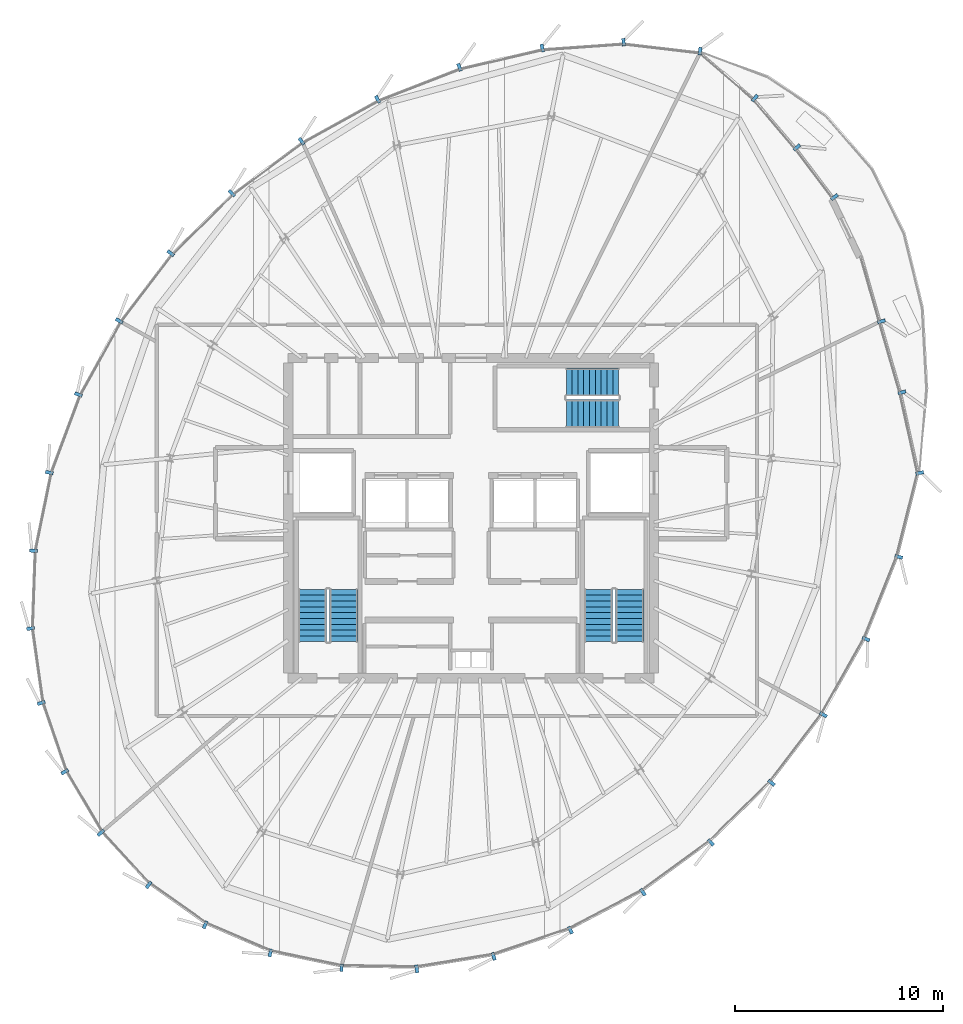
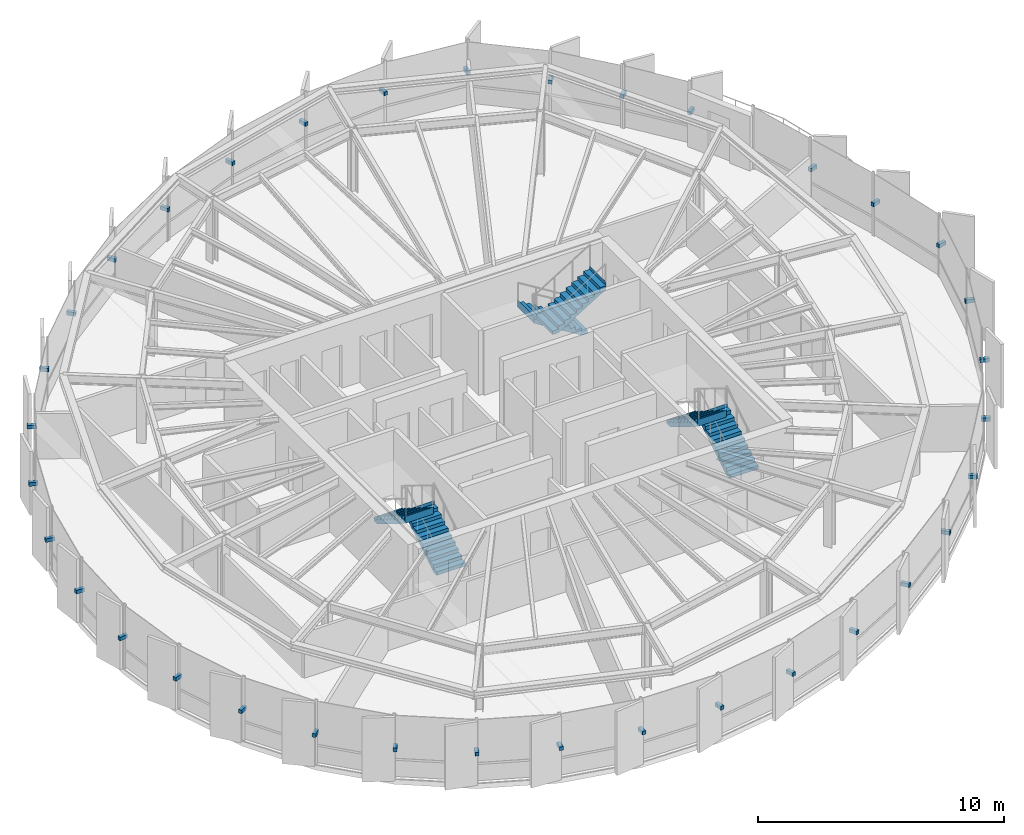
# One storey, part 29 of 34: 35 discrete accessories, 6 stair flights, 3 elements without a shape of their own.
"""IFC4 building model written with IfcOpenShell, lengths in metres."""

from ifc_helpers import new_model, si_unit, direction, frame, origin, origin_2d, place, context, subcontext, project, spatial, polyline, rectangle, outline, extrude, source, transform, mapped, material, type_object, element, aggregate, save


model = new_model("IFC4")

# Units and contexts
model_context = context("Model", 3, precision=1e-05, world=origin(), true_north=direction((0.0, 1.0)))
body_context = subcontext(model_context, "Body", "Model", "MODEL_VIEW")
ifc_project = project(units=[si_unit("LENGTHUNIT", "METRE"), si_unit("AREAUNIT", "SQUARE_METRE"), si_unit("VOLUMEUNIT", "CUBIC_METRE"), si_unit("PLANEANGLEUNIT", "RADIAN"), si_unit("MASSUNIT", "GRAM", prefix="KILO"), si_unit("THERMODYNAMICTEMPERATUREUNIT", "KELVIN")], contexts=[model_context])

# Site, building, storey
site_placement = place(None, origin())
site = spatial("IfcSite", under=ifc_project, at=site_placement, CompositionType="ELEMENT")
building_placement = place(site_placement, origin())
building = spatial("IfcBuilding", under=site, at=building_placement, Name="Kethvar Cultural Tower", CompositionType="ELEMENT")
storey_placement = place(building_placement, frame((0.0, 0.0, 231.85009765625)))
storey = spatial("IfcBuildingStorey", under=building, at=storey_placement, Name="L60", CompositionType="ELEMENT", Elevation=231.85009765625)

# Stair, stair flights
ifc_material_1 = material(Name="Concrete C40/50", Category="concrete")
stair_type = type_object("IfcStairType", Name="ST-DOGLEG-135", PredefinedType="HALF_TURN_STAIR", material=ifc_material_1)
stair_1_placement = place(storey_placement, origin())
stair_1 = element("IfcStair", 1, at=stair_1_placement, inside=storey, type_object=stair_type, Name="L60 Core Exit Stair 1", PredefinedType="HALF_TURN_STAIR")
stair_flight_type = type_object("IfcStairFlightType", Name="FL-STRAIGHT-135", PredefinedType="STRAIGHT", material=ifc_material_1)
stair_flight_1_placement = place(storey_placement, frame((40.675048828125, 21.85009765625, 0.0), z_axis=(0.0, 0.0, 1.0), x_axis=(0.0, 1.0, 0.0)))
stair_flight_1 = element("IfcStairFlight", 2, at=stair_flight_1_placement, type_object=stair_flight_type, Name="ST-01 flight 1", NumberOfRisers=10, NumberOfTreads=9, PredefinedType="STRAIGHT", RiserHeight=0.1725, TreadLength=0.28, context=body_context, shape_type="SweptSolid", body=[
    extrude(outline(polyline([(-0.0009765625, -0.0009765625), (-0.0009765625, 0.172607421875), (0.280029296875, 0.172607421875), (0.280029296875, 0.344970703125), (0.56005859375, 0.344970703125), (0.56005859375, 0.517578125), (0.840087890625, 0.517578125), (0.840087890625, 0.68994140625), (1.1201171875, 0.68994140625), (1.1201171875, 0.862548828125), (1.39990234375, 0.862548828125), (1.39990234375, 1.034912109375), (1.679931640625, 1.034912109375), (1.679931640625, 1.20751953125), (1.9599609375, 1.20751953125), (1.9599609375, 1.3798828125), (2.239990234375, 1.3798828125), (2.239990234375, 1.552490234375), (2.52001953125, 1.552490234375), (2.52001953125, 1.72509765625), (2.52099609375, 1.72509765625), (2.52099609375, 1.37646484375), (0.285888671875, 0.0), (0.0, -0.0009765625), (-0.0009765625, -0.0009765625)])), frame((0.0, 0.675048828125, 0.0), z_axis=(0.0, -1.0, 0.0), x_axis=(1.0, 0.0, 0.0)), (0.0, 0.0, 1.0), 1.35009765625),
])
stair_flight_2_placement = place(storey_placement, frame((39.1650390625, 24.3701171875, 1.724853515625), z_axis=(0.0, 0.0, 1.0), x_axis=(0.0, -1.0, 0.0)))
stair_flight_2 = element("IfcStairFlight", 3, at=stair_flight_2_placement, type_object=stair_flight_type, Name="ST-01 flight 2", NumberOfRisers=10, NumberOfTreads=9, PredefinedType="STRAIGHT", RiserHeight=0.1725, TreadLength=0.28, context=body_context, shape_type="SweptSolid", body=[
    extrude(outline(polyline([(-0.0009765625, -0.0009765625), (-0.0009765625, 0.172607421875), (0.280029296875, 0.172607421875), (0.280029296875, 0.344970703125), (0.56005859375, 0.344970703125), (0.56005859375, 0.517578125), (0.840087890625, 0.517578125), (0.840087890625, 0.68994140625), (1.1201171875, 0.68994140625), (1.1201171875, 0.862548828125), (1.39990234375, 0.862548828125), (1.39990234375, 1.034912109375), (1.679931640625, 1.034912109375), (1.679931640625, 1.20751953125), (1.9599609375, 1.20751953125), (1.9599609375, 1.3798828125), (2.239990234375, 1.3798828125), (2.239990234375, 1.552490234375), (2.52001953125, 1.552490234375), (2.52001953125, 1.72509765625), (2.52099609375, 1.72509765625), (2.52099609375, 1.37646484375), (0.285888671875, 0.0), (0.0, -0.0009765625), (-0.0009765625, -0.0009765625)])), frame((0.0, 0.675048828125, 0.0), z_axis=(0.0, -1.0, 0.0), x_axis=(1.0, 0.0, 0.0)), (0.0, 0.0, 1.0), 1.35009765625),
])
aggregate(stair_1, [stair_flight_1, stair_flight_2])

stair_2_placement = place(storey_placement, origin())
stair_2 = element("IfcStair", 4, at=stair_2_placement, inside=storey, type_object=stair_type, Name="L60 Core Exit Stair 2", PredefinedType="HALF_TURN_STAIR")
stair_flight_3_placement = place(storey_placement, frame((54.43505859375, 21.85009765625, 0.0), z_axis=(0.0, 0.0, 1.0), x_axis=(0.0, 1.0, 0.0)))
stair_flight_3 = element("IfcStairFlight", 5, at=stair_flight_3_placement, type_object=stair_flight_type, Name="ST-02 flight 1", NumberOfRisers=10, NumberOfTreads=9, PredefinedType="STRAIGHT", RiserHeight=0.1725, TreadLength=0.28, context=body_context, shape_type="SweptSolid", body=[
    extrude(outline(polyline([(-0.0009765625, -0.0009765625), (-0.0009765625, 0.172607421875), (0.280029296875, 0.172607421875), (0.280029296875, 0.344970703125), (0.56005859375, 0.344970703125), (0.56005859375, 0.517578125), (0.840087890625, 0.517578125), (0.840087890625, 0.68994140625), (1.1201171875, 0.68994140625), (1.1201171875, 0.862548828125), (1.39990234375, 0.862548828125), (1.39990234375, 1.034912109375), (1.679931640625, 1.034912109375), (1.679931640625, 1.20751953125), (1.9599609375, 1.20751953125), (1.9599609375, 1.3798828125), (2.239990234375, 1.3798828125), (2.239990234375, 1.552490234375), (2.52001953125, 1.552490234375), (2.52001953125, 1.72509765625), (2.52099609375, 1.72509765625), (2.52099609375, 1.37646484375), (0.285888671875, 0.0), (0.0, -0.0009765625), (-0.0009765625, -0.0009765625)])), frame((0.0, 0.675048828125, 0.0), z_axis=(0.0, -1.0, 0.0), x_axis=(1.0, 0.0, 0.0)), (0.0, 0.0, 1.0), 1.35009765625),
])
stair_flight_4_placement = place(storey_placement, frame((52.925048828125, 24.3701171875, 1.724853515625), z_axis=(0.0, 0.0, 1.0), x_axis=(0.0, -1.0, 0.0)))
stair_flight_4 = element("IfcStairFlight", 6, at=stair_flight_4_placement, type_object=stair_flight_type, Name="ST-02 flight 2", NumberOfRisers=10, NumberOfTreads=9, PredefinedType="STRAIGHT", RiserHeight=0.1725, TreadLength=0.28, context=body_context, shape_type="SweptSolid", body=[
    extrude(outline(polyline([(-0.0009765625, -0.0009765625), (-0.0009765625, 0.172607421875), (0.280029296875, 0.172607421875), (0.280029296875, 0.344970703125), (0.56005859375, 0.344970703125), (0.56005859375, 0.517578125), (0.840087890625, 0.517578125), (0.840087890625, 0.68994140625), (1.1201171875, 0.68994140625), (1.1201171875, 0.862548828125), (1.39990234375, 0.862548828125), (1.39990234375, 1.034912109375), (1.679931640625, 1.034912109375), (1.679931640625, 1.20751953125), (1.9599609375, 1.20751953125), (1.9599609375, 1.3798828125), (2.239990234375, 1.3798828125), (2.239990234375, 1.552490234375), (2.52001953125, 1.552490234375), (2.52001953125, 1.72509765625), (2.52099609375, 1.72509765625), (2.52099609375, 1.37646484375), (0.285888671875, 0.0), (0.0, -0.0009765625), (-0.0009765625, -0.0009765625)])), frame((0.0, 0.675048828125, 0.0), z_axis=(0.0, -1.0, 0.0), x_axis=(1.0, 0.0, 0.0)), (0.0, 0.0, 1.0), 1.35009765625),
])
aggregate(stair_2, [stair_flight_3, stair_flight_4])

stair_3_placement = place(storey_placement, origin())
stair_3 = element("IfcStair", 7, at=stair_3_placement, inside=storey, type_object=stair_type, Name="L60 Core Exit Stair 3", PredefinedType="HALF_TURN_STAIR")
stair_flight_5_placement = place(storey_placement, frame((53.89990234375, 34.3349609375, 0.0), z_axis=(0.0, 0.0, 1.0), x_axis=(-1.0, 0.0, 0.0)))
stair_flight_5 = element("IfcStairFlight", 8, at=stair_flight_5_placement, type_object=stair_flight_type, Name="ST-03 flight 1", NumberOfRisers=10, NumberOfTreads=9, PredefinedType="STRAIGHT", RiserHeight=0.1725, TreadLength=0.28, context=body_context, shape_type="SweptSolid", body=[
    extrude(outline(polyline([(-0.0009765625, -0.0009765625), (-0.0009765625, 0.172607421875), (0.280029296875, 0.172607421875), (0.280029296875, 0.344970703125), (0.56005859375, 0.344970703125), (0.56005859375, 0.517578125), (0.840087890625, 0.517578125), (0.840087890625, 0.68994140625), (1.1201171875, 0.68994140625), (1.1201171875, 0.862548828125), (1.39990234375, 0.862548828125), (1.39990234375, 1.034912109375), (1.679931640625, 1.034912109375), (1.679931640625, 1.20751953125), (1.9599609375, 1.20751953125), (1.9599609375, 1.3798828125), (2.239990234375, 1.3798828125), (2.239990234375, 1.552490234375), (2.52001953125, 1.552490234375), (2.52001953125, 1.72509765625), (2.52099609375, 1.72509765625), (2.52099609375, 1.37646484375), (0.285888671875, 0.0), (0.0, -0.0009765625), (-0.0009765625, -0.0009765625)])), frame((0.0, 0.675048828125, 0.0), z_axis=(0.0, -1.0, 0.0), x_axis=(1.0, 0.0, 0.0)), (0.0, 0.0, 1.0), 1.35009765625),
])
stair_flight_6_placement = place(storey_placement, frame((51.3798828125, 32.824951171875, 1.724853515625), z_axis=(0.0, 0.0, 1.0), x_axis=(1.0, 0.0, 0.0)))
stair_flight_6 = element("IfcStairFlight", 9, at=stair_flight_6_placement, type_object=stair_flight_type, Name="ST-03 flight 2", NumberOfRisers=10, NumberOfTreads=9, PredefinedType="STRAIGHT", RiserHeight=0.1725, TreadLength=0.28, context=body_context, shape_type="SweptSolid", body=[
    extrude(outline(polyline([(-0.0009765625, -0.0009765625), (-0.0009765625, 0.172607421875), (0.280029296875, 0.172607421875), (0.280029296875, 0.344970703125), (0.56005859375, 0.344970703125), (0.56005859375, 0.517578125), (0.840087890625, 0.517578125), (0.840087890625, 0.68994140625), (1.1201171875, 0.68994140625), (1.1201171875, 0.862548828125), (1.39990234375, 0.862548828125), (1.39990234375, 1.034912109375), (1.679931640625, 1.034912109375), (1.679931640625, 1.20751953125), (1.9599609375, 1.20751953125), (1.9599609375, 1.3798828125), (2.239990234375, 1.3798828125), (2.239990234375, 1.552490234375), (2.52001953125, 1.552490234375), (2.52001953125, 1.72509765625), (2.52099609375, 1.72509765625), (2.52099609375, 1.37646484375), (0.285888671875, 0.0), (0.0, -0.0009765625), (-0.0009765625, -0.0009765625)])), frame((0.0, 0.675048828125, 0.0), z_axis=(0.0, -1.0, 0.0), x_axis=(1.0, 0.0, 0.0)), (0.0, 0.0, 1.0), 1.35009765625),
])
aggregate(stair_3, [stair_flight_5, stair_flight_6])

# Discrete accessories
ifc_material_2 = material(Name="Steel S355J2", Category="steel")
discrete_accessory_type = type_object("IfcDiscreteAccessoryType", Name="Steel Fin Bracket BRK-01", PredefinedType="BRACKET", material=ifc_material_2)
shared_shape = source(origin(), body_context, "Body", "SweptSolid", [
    extrude(rectangle(XDim=0.3798828125, YDim=0.159912109375, at=origin_2d()), origin(), (0.0, 0.0, 1.0), 0.179931640625),
])
for number, where, z_axis, x_axis, name in (
    (10, (62.4736328125, 45.62939453125, 1.51513671875), (0.0, 0.0, 1.0), (0.760065811178, 0.64984610692, 0.0), "L60 Terracotta Fin Bracket 1.1"),
    (11, (60.448486328125, 47.997802734375, 1.51513671875), (0.0, 0.0, 1.0), (0.65209840383, 0.758134336198, 0.0), "L60 Terracotta Fin Bracket 1.2"),
    (12, (57.815185546875, 50.260498046875, 1.51513671875), (0.0, 0.0, 1.0), (0.115977344809, 0.993251859042, 0.0), "L60 Terracotta Fin Bracket 1.3"),
    (13, (54.13671875, 50.689697265625, 1.51513671875), (0.0, 0.0, 1.0), (-0.070278787473, 0.997527389113, 0.0), "L60 Terracotta Fin Bracket 1.4"),
    (14, (50.2275390625, 50.414306640625, 1.51513671875), (0.0, 0.0, 1.0), (-0.2275011754, 0.973777805863, 0.0), "L60 Terracotta Fin Bracket 1.5"),
    (15, (46.242431640625, 49.4833984375, 1.51513671875), (0.0, 0.0, 1.0), (-0.362763348316, 0.931881297762, 0.0), "L60 Terracotta Fin Bracket 1.6"),
    (16, (42.302978515625, 47.945068359375, 1.51513671875), (0.0, 0.0, 1.0), (-0.483893454972, 0.87512691893, 0.0), "L60 Terracotta Fin Bracket 2.1"),
    (17, (38.6435546875, 45.92138671875, 1.51513671875), (0.0, 0.0, 1.0), (-0.596364983966, 0.802713402093, 0.0), "L60 Terracotta Fin Bracket 2.2"),
    (18, (35.287109375, 43.427978515625, 1.51513671875), (0.0, 0.0, 1.0), (-0.701282625266, 0.712883356168, 0.0), "L60 Terracotta Fin Bracket 2.3"),
    (19, (32.349853515625, 40.53857421875, 1.51513671875), (0.0, 0.0, 1.0), (-0.795473480855, 0.605988400266, 0.0), "L60 Terracotta Fin Bracket 2.4"),
    (20, (29.871337890625, 37.28466796875, 1.51513671875), (0.0, 0.0, 1.0), (-0.874535078577, 0.484962262797, 0.0), "L60 Terracotta Fin Bracket 2.5"),
    (21, (27.9072265625, 33.74267578125, 1.51513671875), (0.0, 0.0, 1.0), (-0.936794377618, 0.349880399656, 0.0), "L60 Terracotta Fin Bracket 2.6"),
    (22, (26.509765625, 29.985107421875, 1.51513671875), (0.0, 0.0, 1.0), (-0.979785280755, 0.200052002278, 0.0), "L60 Terracotta Fin Bracket 3.1"),
    (23, (25.742919921875, 26.229736328125, 1.51513671875), (0.0, 0.0, 1.0), (-0.999353732381, 0.035946037002, 0.0), "L60 Terracotta Fin Bracket 3.2"),
    (24, (25.60888671875, 22.4873046875, 1.51513671875), (0.0, 0.0, 1.0), (-0.990023657717, -0.140901231938, 0.0), "L60 Terracotta Fin Bracket 3.3"),
    (25, (26.11865234375, 18.906005859375, 1.51513671875), (0.0, 0.0, 1.0), (-0.945688913069, -0.325073037483, 0.0), "L60 Terracotta Fin Bracket 3.4"),
    (26, (27.2568359375, 15.594970703125, 1.51513671875), (0.0, 0.0, 1.0), (-0.861629160442, -0.507538362961, 0.0), "L60 Terracotta Fin Bracket 3.5"),
    (27, (28.989013671875, 12.654541015625, 1.51513671875), (0.0, 0.0, 1.0), (-0.737159412846, -0.675718876495, 0.0), "L60 Terracotta Fin Bracket 3.6"),
    (28, (31.29150390625, 10.15380859375, 1.51513671875), (0.0, 0.0, 1.0), (-0.578000058462, -0.816036722469, 0.0), "L60 Terracotta Fin Bracket 4.1"),
    (29, (34.00830078125, 8.22998046875, 1.51513671875), (0.0, 0.0, 1.0), (-0.395545502563, -0.918446381343, 0.0), "L60 Terracotta Fin Bracket 4.2"),
    (30, (37.142578125, 6.880615234375, 1.51513671875), (0.0, 0.0, 1.0), (-0.203983490067, -0.978974328458, 0.0), "L60 Terracotta Fin Bracket 4.3"),
    (31, (40.570068359375, 6.166748046875, 1.51513671875), (0.0, 0.0, 1.0), (-0.015707317312, -0.999876632482, 0.0), "L60 Terracotta Fin Bracket 4.4"),
    (32, (44.18701171875, 6.110107421875, 1.51513671875), (0.0, 0.0, 1.0), (0.160914826518, -0.986968296657, 0.0), "L60 Terracotta Fin Bracket 4.5"),
    (33, (47.883056640625, 6.712646484375, 1.51513671875), (0.0, 0.0, 1.0), (0.321274189923, -0.946986216842, 0.0), "L60 Terracotta Fin Bracket 4.6"),
    (34, (51.577880859375, 7.972412109375, 1.51513671875), (0.0, 0.0, 1.0), (0.464532956732, -0.885555832294, 0.0), "L60 Terracotta Fin Bracket 5.1"),
    (35, (55.06494140625, 9.8017578125, 1.51513671875), (0.0, 0.0, 1.0), (0.590746499768, -0.806857219719, 0.0), "L60 Terracotta Fin Bracket 5.2"),
    (36, (58.332763671875, 12.194580078125, 1.51513671875), (0.0, 0.0, 1.0), (0.7009092643, -0.713250449154, 0.0), "L60 Terracotta Fin Bracket 5.3"),
    (37, (61.250244140625, 15.061279296875, 1.51513671875), (0.0, 0.0, 1.0), (0.795156077043, -0.60640482612, 0.0), "L60 Terracotta Fin Bracket 5.4"),
    (38, (63.74853515625, 18.337890625, 1.51513671875), (0.0, 0.0, 1.0), (0.871128118983, -0.491055801632, 0.0), "L60 Terracotta Fin Bracket 5.5"),
    (39, (65.80126953125, 21.980224609375, 1.51513671875), (0.0, 0.0, 1.0), (0.928874213199, -0.370395324019, 0.0), "L60 Terracotta Fin Bracket 5.6"),
    (40, (67.372314453125, 25.9326171875, 1.51513671875), (0.0, 0.0, 1.0), (0.969999438853, -0.243107154615, 0.0), "L60 Terracotta Fin Bracket 6.1"),
    (41, (68.382568359375, 29.968994140625, 1.51513671875), (0.0, 0.0, 1.0), (0.976559709305, 0.215246682117, 0.0), "L60 Terracotta Fin Bracket 6.2"),
    (42, (67.528076171875, 33.845458984375, 1.51513671875), (0.0, 0.0, 1.0), (0.96063382085, 0.277817678054, 0.0), "L60 Terracotta Fin Bracket 6.3"),
    (43, (66.540283203125, 37.260498046875, 1.51513671875), (0.0, 0.0, 1.0), (0.961645621151, 0.274294913043, 0.0), "L60 Terracotta Fin Bracket 6.4"),
    (44, (64.281005859375, 43.23974609375, 1.51513671875), (0.0, 0.0, 1.0), (0.798004853043, 0.602651022168, 0.0), "L60 Terracotta Fin Bracket 7.1"),
):
    element("IfcDiscreteAccessory", number, at=place(storey_placement, frame(where, z_axis=z_axis, x_axis=x_axis)), inside=storey, type_object=discrete_accessory_type, Name=name, PredefinedType="BRACKET", context=body_context, shape_type="MappedRepresentation", body=[
        mapped(shared_shape, transform((0.0, 0.0, 0.0), scale=1.0)),
    ])

save(model, "model.ifc")
